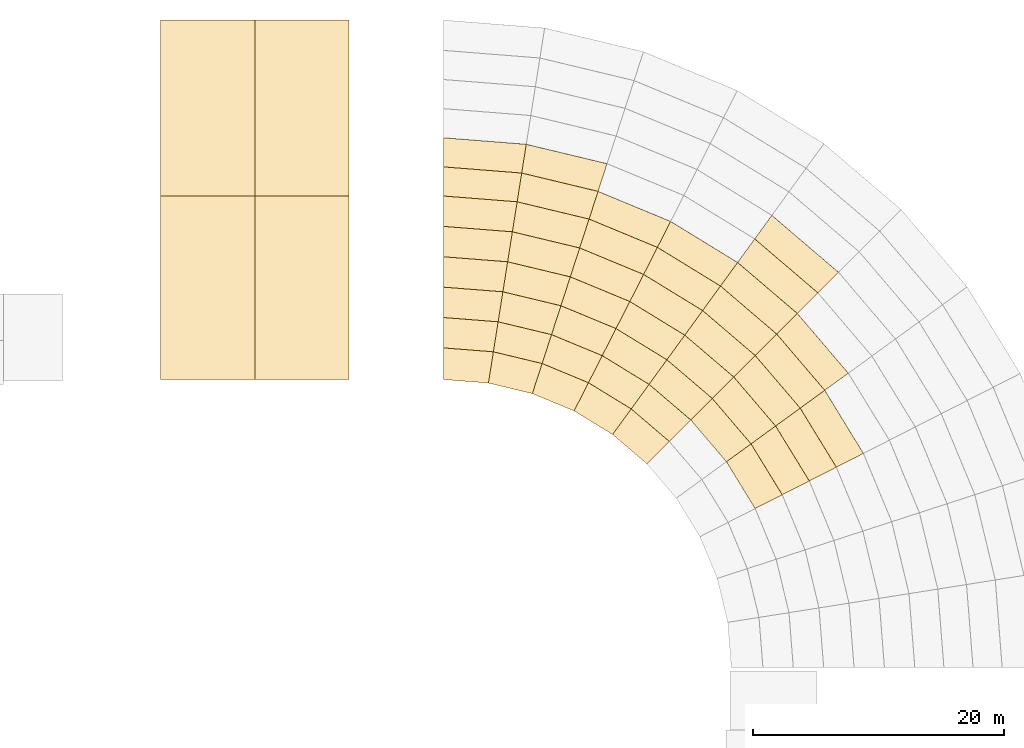
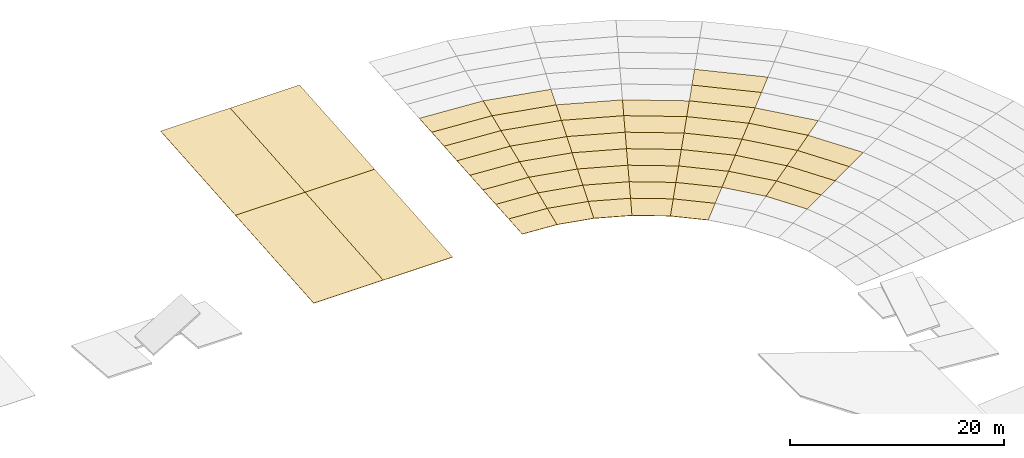
# One storey, part 4 of 6: 52 coverings.
"""IFC4 building model written with IfcOpenShell, lengths in metres."""

from ifc_helpers import new_model, si_unit, direction, frame, origin, place, context, subcontext, project, spatial, polyline, outline, extrude, material, layer, layer_set, type_object, element, save


model = new_model("IFC4")

# Units and contexts
model_context = context("Model", 3, precision=1e-05, world=origin(), true_north=direction((0.0, 1.0)))
body_context = subcontext(model_context, "Body", "Model", "MODEL_VIEW")
ifc_project = project(units=[si_unit("LENGTHUNIT", "METRE"), si_unit("AREAUNIT", "SQUARE_METRE"), si_unit("VOLUMEUNIT", "CUBIC_METRE"), si_unit("PLANEANGLEUNIT", "RADIAN"), si_unit("MASSUNIT", "GRAM", prefix="KILO")], contexts=[model_context])

# Site, building, storey
site_placement = place(None, origin())
site = spatial("IfcSite", under=ifc_project, at=site_placement, CompositionType="ELEMENT")
building_placement = place(site_placement, origin())
building = spatial("IfcBuilding", under=site, at=building_placement, Name="Parallax Yard Mobility Hub", CompositionType="ELEMENT")
storey_placement = place(building_placement, frame((0.0, 0.0, 26.5)))
storey = spatial("IfcBuildingStorey", under=building, at=storey_placement, Name="ROOF", CompositionType="ELEMENT", Elevation=26.5)

# Coverings
ifc_material = material(Name="Aluminium-zinc coated standing seam sheeting", Category="aluminium")
ifc_layer = layer(ifc_material, 0.0400390625)
ifc_layer_set = layer_set([ifc_layer], Name="Canopy roof sheeting 40")
covering_type = type_object("IfcCoveringType", Name="Canopy roof sheeting 40", PredefinedType="ROOFING", material=ifc_layer_set)
placement = place(building_placement, frame((0.0, 0.0, 13.199951171875)))
covering_1_placement = place(placement, frame((172.5, 112.89990234375, 4.4658203125), z_axis=(-0.006269490234, -0.079678632242, 0.996800887367), x_axis=(0.996921513004, -0.07840597491, 2.918185e-06)))
element("IfcCovering", 1, at=covering_1_placement, inside=storey, type_object=covering_type, Name="Canopy roof sheeting sector R0-R1 bay 1", PredefinedType="ROOFING", context=body_context, shape_type="SweptSolid", body=[
    extrude(outline(polyline([(0.0, 0.0), (3.593337367029227, 5.551115123125783e-17), (3.7910389233031703, 2.516872609857976), (-0.19733515399551443, 2.5171494301127004), (0.0, 0.0)])), origin(), (0.0, 0.0, -1.0), 0.0400390625),
])
covering_2_placement = place(placement, frame((172.5, 115.416748046875, 4.6669921875), z_axis=(-0.006276257805, -0.079756393413, 0.996794625937), x_axis=(0.996916082093, -0.078474997679, -1.986815e-06)))
element("IfcCovering", 2, at=covering_2_placement, inside=storey, type_object=covering_type, Name="Canopy roof sheeting sector R0-R1 bay 2", PredefinedType="ROOFING", context=body_context, shape_type="SweptSolid", body=[
    extrude(outline(polyline([(0.0, 0.0), (3.9883740869112385, 0.0), (4.177820978808256, 2.417006498316142), (-0.1896355226046598, 2.416798987364311), (0.0, 0.0)])), origin(), (0.0, 0.0, -1.0), 0.0400390625),
])
covering_3_placement = place(placement, frame((172.5, 117.833251953125, 4.8603515625), z_axis=(-0.006274402209, -0.079752195012, 0.996794973537), x_axis=(0.996919807149, -0.078427661667, 2.98629e-07)))
element("IfcCovering", 3, at=covering_3_placement, inside=storey, type_object=covering_type, Name="Canopy roof sheeting sector R0-R1 bay 3", PredefinedType="ROOFING", context=body_context, shape_type="SweptSolid", body=[
    extrude(outline(polyline([(0.0, 0.0), (4.367456506349689, -5.551115123125783e-17), (4.5572616258973655, 2.4170165804130814), (-0.18953984041244973, 2.4170506032909675), (0.0, 0.0)])), origin(), (0.0, 0.0, -1.0), 0.0400390625),
])
covering_4_placement = place(placement, frame((172.5, 120.25, 5.0537109375), z_axis=(-0.006277391311, -0.07975630423, 0.996794625935), x_axis=(0.996919230113, -0.078434996183, 2.374306e-06)))
element("IfcCovering", 4, at=covering_4_placement, inside=storey, type_object=covering_type, Name="Canopy roof sheeting sector R0-R1 bay 4", PredefinedType="ROOFING", context=body_context, shape_type="SweptSolid", body=[
    extrude(outline(polyline([(0.0, 0.0), (4.746801466418459, 5.551115123125783e-17), (4.936365022566961, 2.4167562446900384), (-0.18955716473643114, 2.41704924466668), (0.0, 0.0)])), origin(), (0.0, 0.0, -1.0), 0.0400390625),
])
covering_5_placement = place(placement, frame((172.5, 122.666748046875, 5.2470703125), z_axis=(-0.006277811964, -0.079755954101, 0.996794651301), x_axis=(0.996914756682, -0.078491833381, -1.753294e-06)))
element("IfcCovering", 5, at=covering_5_placement, inside=storey, type_object=covering_type, Name="Canopy roof sheeting sector R0-R1 bay 5", PredefinedType="ROOFING", context=body_context, shape_type="SweptSolid", body=[
    extrude(outline(polyline([(0.0, 0.0), (5.125922195681937, 0.0), (5.3155718330166115, 2.4170287851776817), (-0.1896761609902308, 2.4167957983024997), (0.0, 0.0)])), origin(), (0.0, 0.0, -1.0), 0.0400390625),
])
covering_6_placement = place(placement, frame((172.5, 125.083251953125, 5.4404296875), z_axis=(-0.00627620355, -0.079752370138, 0.996794948185), x_axis=(0.99691807529, -0.078449672786, 3.1443e-07)))
element("IfcCovering", 6, at=covering_6_placement, inside=storey, type_object=covering_type, Name="Canopy roof sheeting sector R0-R1 bay 6", PredefinedType="ROOFING", context=body_context, shape_type="SweptSolid", body=[
    extrude(outline(polyline([(0.0, 0.0), (5.505247998944054, 0.0), (5.694756538678247, 2.4170016655310547), (-0.18959303268490388, 2.4170464314797186), (0.0, 0.0)])), origin(), (0.0, 0.0, -1.0), 0.0400390625),
])
covering_7_placement = place(placement, frame((172.5, 127.5, 5.6337890625), z_axis=(-0.006275079768, -0.079731656015, 0.996796612355), x_axis=(0.99691747719, -0.078457272918, 2.09065e-07)))
element("IfcCovering", 7, at=covering_7_placement, inside=storey, type_object=covering_type, Name="Canopy roof sheeting sector R0-R1 bay 7", PredefinedType="ROOFING", context=body_context, shape_type="SweptSolid", body=[
    extrude(outline(polyline([(0.0, 0.0), (5.884349571533558, 0.0), (6.066263890508718, 2.316899478630266), (-0.18175803321187095, 2.316931193003203), (0.0, 0.0)])), origin(), (0.0, 0.0, -1.0), 0.0400390625),
])
covering_8_placement = place(placement, frame((172.5, 129.816650390625, 5.819091796875), z_axis=(-0.006275607105, -0.079731945097, 0.996796585912), x_axis=(0.996917077054, -0.078462357074, 3.04521e-07)))
element("IfcCovering", 8, at=covering_8_placement, inside=storey, type_object=covering_type, Name="Canopy roof sheeting sector R0-R1 bay 8", PredefinedType="ROOFING", context=body_context, shape_type="SweptSolid", body=[
    extrude(outline(polyline([(0.0, 0.0), (6.248021923800908, 5.551115123125783e-17), (6.429681094451499, 2.316881307501849), (-0.1817697937356638, 2.3169302703861137), (0.0, 0.0)])), origin(), (0.0, 0.0, -1.0), 0.0400390625),
])
covering_9_placement = place(placement, frame((176.082275390625, 112.6181640625, 4.4658203125), z_axis=(-0.018660054667, -0.07772105804, 0.996800501353), x_axis=(0.97237001477, -0.233444970765, 8.90359e-07)))
element("IfcCovering", 9, at=covering_9_placement, inside=storey, type_object=covering_type, Name="Canopy roof sheeting sector R1-R2 bay 1", PredefinedType="ROOFING", context=body_context, shape_type="SweptSolid", body=[
    extrude(outline(polyline([(0.0, 0.0), (3.593426897201229, 0.0), (3.791061309385657, 2.5168171973790314), (-0.1973314648132084, 2.516901653363014), (0.0, 0.0)])), origin(), (0.0, 0.0, -1.0), 0.0400390625),
])
covering_10_placement = place(placement, frame((176.47607421875, 115.103759765625, 4.6669921875), z_axis=(-0.018674865872, -0.07778701015, 0.99679507946), x_axis=(0.972365105676, -0.233465417698, -1.79464e-06)))
element("IfcCovering", 10, at=covering_10_placement, inside=storey, type_object=covering_type, Name="Canopy roof sheeting sector R1-R2 bay 2", PredefinedType="ROOFING", context=body_context, shape_type="SweptSolid", body=[
    extrude(outline(polyline([(0.0, 0.0), (3.9883927750878896, -2.220446049250313e-16), (4.177940267586874, 2.4171671973942748), (-0.1897879947770857, 2.4169797381860745), (0.0, 0.0)])), origin(), (0.0, 0.0, -1.0), 0.0400390625),
])
covering_11_placement = place(placement, frame((176.85400390625, 117.49072265625, 4.8603515625), z_axis=(-0.018675008724, -0.077790036337, 0.996794840625), x_axis=(0.972375103408, -0.233423774008, 1.073116e-06)))
element("IfcCovering", 11, at=covering_11_placement, inside=storey, type_object=covering_type, Name="Canopy roof sheeting sector R1-R2 bay 3", PredefinedType="ROOFING", context=body_context, shape_type="SweptSolid", body=[
    extrude(outline(polyline([(0.0, 0.0), (4.3677282663901265, 0.0), (4.557436489711452, 2.416922424540926), (-0.18944686361964178, 2.4170446870594957), (0.0, 0.0)])), origin(), (0.0, 0.0, -1.0), 0.0400390625),
])
covering_12_placement = place(placement, frame((177.232177734375, 119.877685546875, 5.0537109375), z_axis=(-0.018676343911, -0.077795677463, 0.996794375358), x_axis=(0.972369110555, -0.233448737064, -1.005961e-06)))
element("IfcCovering", 12, at=covering_12_placement, inside=storey, type_object=covering_type, Name="Canopy roof sheeting sector R1-R2 bay 4", PredefinedType="ROOFING", context=body_context, shape_type="SweptSolid", body=[
    extrude(outline(polyline([(0.0, 0.0), (4.746883354905525, 2.220446049250313e-16), (4.936291932209829, 2.4168704982839175), (-0.18968951833918965, 2.4167463612893054), (0.0, 0.0)])), origin(), (0.0, 0.0, -1.0), 0.0400390625),
])
covering_13_placement = place(placement, frame((177.610107421875, 122.264404296875, 5.2470703125), z_axis=(-0.018674975228, -0.07779004438, 0.996794840624), x_axis=(0.972374745927, -0.233425263163, 9.15647e-07)))
element("IfcCovering", 13, at=covering_13_placement, inside=storey, type_object=covering_type, Name="Canopy roof sheeting sector R1-R2 bay 5", PredefinedType="ROOFING", context=body_context, shape_type="SweptSolid", body=[
    extrude(outline(polyline([(0.0, 0.0), (5.125981452052222, 0.0), (5.315685955364521, 2.4169227165276705), (-0.1894505838160749, 2.417044395469297), (0.0, 0.0)])), origin(), (0.0, 0.0, -1.0), 0.0400390625),
])
covering_14_placement = place(placement, frame((177.98828125, 124.6513671875, 5.4404296875), z_axis=(-0.018676413452, -0.077790666002, 0.996794765167), x_axis=(0.972369579468, -0.233446783926, 3.96768e-07)))
element("IfcCovering", 14, at=covering_14_placement, inside=storey, type_object=covering_type, Name="Canopy roof sheeting sector R1-R2 bay 6", PredefinedType="ROOFING", context=body_context, shape_type="SweptSolid", body=[
    extrude(outline(polyline([(0.0, 0.0), (5.505136540526896, 0.0), (5.694787623034025, 2.4169269089415395), (-0.1897414021464435, 2.4169833963272884), (0.0, 0.0)])), origin(), (0.0, 0.0, -1.0), 0.0400390625),
])
covering_15_placement = place(placement, frame((178.3662109375, 127.038330078125, 5.6337890625), z_axis=(-0.018670337125, -0.077766516696, 0.996796763334), x_axis=(0.97236735073, -0.233456067033, -6.40941e-07)))
element("IfcCovering", 15, at=covering_15_placement, inside=storey, type_object=covering_type, Name="Canopy roof sheeting sector R1-R2 bay 7", PredefinedType="ROOFING", context=body_context, shape_type="SweptSolid", body=[
    extrude(outline(polyline([(0.0, 0.0), (5.884529025450781, 2.220446049250313e-16), (6.066179313753706, 2.31701846469944), (-0.1816370192572091, 2.316921234472151), (0.0, 0.0)])), origin(), (0.0, 0.0, -1.0), 0.0400390625),
])
covering_16_placement = place(placement, frame((178.728759765625, 129.326416015625, 5.819091796875), z_axis=(-0.018668503348, -0.077766956974, 0.99679676333), x_axis=(0.972371007291, -0.233440836571, -1.276176e-06)))
element("IfcCovering", 16, at=covering_16_placement, inside=storey, type_object=covering_type, Name="Canopy roof sheeting sector R1-R2 bay 8", PredefinedType="ROOFING", context=body_context, shape_type="SweptSolid", body=[
    extrude(outline(polyline([(0.0, 0.0), (6.2478163337635015, 0.0), (6.429740075392016, 2.317072447383229), (-0.18183835794528125, 2.3168672510207315), (0.0, 0.0)])), origin(), (0.0, 0.0, -1.0), 0.0400390625),
])
covering_17_placement = place(placement, frame((179.576416015625, 111.779296875, 4.4658203125), z_axis=(-0.030586916813, -0.073844600327, 0.996800589648), x_axis=(0.923876927479, -0.382689721407, -1.026083e-06)))
element("IfcCovering", 17, at=covering_17_placement, inside=storey, type_object=covering_type, Name="Canopy roof sheeting sector R2-R3 bay 1", PredefinedType="ROOFING", context=body_context, shape_type="SweptSolid", body=[
    extrude(outline(polyline([(0.0, 0.0), (3.5936263519226257, 0.0), (3.790846617316962, 2.5169427655251346), (-0.19727448571795608, 2.5168454349013296), (0.0, 0.0)])), origin(), (0.0, 0.0, -1.0), 0.0400390625),
])
covering_18_placement = place(placement, frame((180.354248046875, 114.172607421875, 4.6669921875), z_axis=(-0.030613384535, -0.073907353258, 0.996795126303), x_axis=(0.923886223434, -0.382667278647, 1.362849e-06)))
element("IfcCovering", 18, at=covering_18_placement, inside=storey, type_object=covering_type, Name="Canopy roof sheeting sector R2-R3 bay 2", PredefinedType="ROOFING", context=body_context, shape_type="SweptSolid", body=[
    extrude(outline(polyline([(0.0, 0.0), (3.9881211042205886, 0.0), (4.1777745148206655, 2.4170199319812222), (-0.1896102030285061, 2.417162278995943), (0.0, 0.0)])), origin(), (0.0, 0.0, -1.0), 0.0400390625),
])
covering_19_placement = place(placement, frame((181.10107421875, 116.47119140625, 4.8603515625), z_axis=(-0.030618443513, -0.073913312683, 0.996794529041), x_axis=(0.9238737173, -0.382697471223, 1.14103e-06)))
element("IfcCovering", 19, at=covering_19_placement, inside=storey, type_object=covering_type, Name="Canopy roof sheeting sector R2-R3 bay 3", PredefinedType="ROOFING", context=body_context, shape_type="SweptSolid", body=[
    extrude(outline(polyline([(0.0, 0.0), (4.367384720169487, -2.220446049250313e-16), (4.55705278426246, 2.4168012799743237), (-0.1895955539987205, 2.4169312654987856), (0.0, 0.0)])), origin(), (0.0, 0.0, -1.0), 0.0400390625),
])
covering_20_placement = place(placement, frame((181.847900390625, 118.76953125, 5.0537109375), z_axis=(-0.030617092496, -0.07391151303, 0.996794703983), x_axis=(0.923863287621, -0.382722648641, -1.607453e-06)))
element("IfcCovering", 20, at=covering_20_placement, inside=storey, type_object=covering_type, Name="Canopy roof sheeting sector R2-R3 bay 4", PredefinedType="ROOFING", context=body_context, shape_type="SweptSolid", body=[
    extrude(outline(polyline([(0.0, 0.0), (4.7466483400374475, 4.440892098500626e-16), (4.936156782531618, 2.4170313026399417), (-0.18988729342308905, 2.416832933901804), (0.0, 0.0)])), origin(), (0.0, 0.0, -1.0), 0.0400390625),
])
covering_21_placement = place(placement, frame((182.594482421875, 121.06787109375, 5.2470703125), z_axis=(-0.030614491449, -0.073910922077, 0.996794827691), x_axis=(0.923878116791, -0.382686850197, -6.81442e-07)))
element("IfcCovering", 21, at=covering_21_placement, inside=storey, type_object=covering_type, Name="Canopy roof sheeting sector R2-R3 bay 5", PredefinedType="ROOFING", context=body_context, shape_type="SweptSolid", body=[
    extrude(outline(polyline([(0.0, 0.0), (5.126044079797482, 0.0), (5.3156460569520485, 2.4170239672008407), (-0.18956821000669635, 2.4169334103382347), (0.0, 0.0)])), origin(), (0.0, 0.0, -1.0), 0.0400390625),
])
covering_22_placement = place(placement, frame((183.34130859375, 123.3662109375, 5.4404296875), z_axis=(-0.030616242126, -0.073914224605, 0.996794529038), x_axis=(0.92388438059, -0.382671727857, 9.87014e-07)))
element("IfcCovering", 22, at=covering_22_placement, inside=storey, type_object=covering_type, Name="Canopy roof sheeting sector R2-R3 bay 6", PredefinedType="ROOFING", context=body_context, shape_type="SweptSolid", body=[
    extrude(outline(polyline([(0.0, 0.0), (5.505214267701959, 2.220446049250313e-16), (5.69494942886218, 2.4167960133277875), (-0.18952845315164635, 2.4169365282693835), (0.0, 0.0)])), origin(), (0.0, 0.0, -1.0), 0.0400390625),
])
covering_23_placement = place(placement, frame((184.088134765625, 125.66455078125, 5.6337890625), z_axis=(-0.030606114725, -0.073887261502, 0.996796839045), x_axis=(0.923875242376, -0.382693789503, 3.5674e-08)))
element("IfcCovering", 23, at=covering_23_placement, inside=storey, type_object=covering_type, Name="Canopy roof sheeting sector R2-R3 bay 7", PredefinedType="ROOFING", context=body_context, shape_type="SweptSolid", body=[
    extrude(outline(polyline([(0.0, 0.0), (5.88447788369402, -4.440892098500626e-16), (6.066210935691207, 2.3169944817603363), (-0.1818870147817361, 2.316999893583672), (0.0, 0.0)])), origin(), (0.0, 0.0, -1.0), 0.0400390625),
])
covering_24_placement = place(placement, frame((182.896484375, 110.404052734375, 4.4658203125), z_axis=(-0.041763428885, -0.068150626772, 0.996800535753), x_axis=(0.852641255997, -0.522496783312, 7.41562e-07)))
element("IfcCovering", 24, at=covering_24_placement, inside=storey, type_object=covering_type, Name="Canopy roof sheeting sector R3-R4 bay 1", PredefinedType="ROOFING", context=body_context, shape_type="SweptSolid", body=[
    extrude(outline(polyline([(0.0, 0.0), (3.5932117639587537, -2.220446049250313e-16), (3.7907345435234943, 2.5168377665811796), (-0.19766208663588114, 2.51690810669059), (0.0, 0.0)])), origin(), (0.0, 0.0, -1.0), 0.0400390625),
])
covering_25_placement = place(placement, frame((184.038818359375, 112.646484375, 4.6669921875), z_axis=(-0.041800504556, -0.068209803425, 0.996794934044), x_axis=(0.852632041621, -0.522511819581, 2.1107e-08)))
element("IfcCovering", 25, at=covering_25_placement, inside=storey, type_object=covering_type, Name="Canopy roof sheeting sector R3-R4 bay 2", PredefinedType="ROOFING", context=body_context, shape_type="SweptSolid", body=[
    extrude(outline(polyline([(0.0, 0.0), (3.988396630780536, 0.0), (4.178140579926154, 2.4170176225559312), (-0.18965474534830262, 2.4170198272549097), (0.0, 0.0)])), origin(), (0.0, 0.0, -1.0), 0.0400390625),
])
covering_26_placement = place(placement, frame((185.135986328125, 114.7998046875, 4.8603515625), z_axis=(-0.041799474686, -0.068212902605, 0.996794765152), x_axis=(0.852631883117, -0.522512078221, -2.508728e-06)))
element("IfcCovering", 26, at=covering_26_placement, inside=storey, type_object=covering_type, Name="Canopy roof sheeting sector R3-R4 bay 3", PredefinedType="ROOFING", context=body_context, shape_type="SweptSolid", body=[
    extrude(outline(polyline([(0.0, 0.0), (4.367795325261181, -6.661338147750939e-16), (4.557202325892941, 2.4170980555861314), (-0.1895283989300862, 2.416812236671573), (0.0, 0.0)])), origin(), (0.0, 0.0, -1.0), 0.0400390625),
])
covering_27_placement = place(placement, frame((186.233154296875, 116.952880859375, 5.0537109375), z_axis=(-0.041798553672, -0.068213466992, 0.996794765151), x_axis=(0.852663288349, -0.52246082791, 1.231731e-06)))
element("IfcCovering", 27, at=covering_27_placement, inside=storey, type_object=covering_type, Name="Canopy roof sheeting sector R3-R4 bay 4", PredefinedType="ROOFING", context=body_context, shape_type="SweptSolid", body=[
    extrude(outline(polyline([(0.0, 0.0), (4.746730733437261, -4.440892098500626e-16), (4.936410830421165, 2.4168791437525026), (-0.18951042695089962, 2.41703114705189), (0.0, 0.0)])), origin(), (0.0, 0.0, -1.0), 0.0400390625),
])
covering_28_placement = place(placement, frame((187.330322265625, 119.106201171875, 5.2470703125), z_axis=(-0.041798517457, -0.068211021214, 0.996794934038), x_axis=(0.852647792537, -0.522486116449, 1.02396e-07)))
element("IfcCovering", 28, at=covering_28_placement, inside=storey, type_object=covering_type, Name="Canopy roof sheeting sector R3-R4 bay 5", PredefinedType="ROOFING", context=body_context, shape_type="SweptSolid", body=[
    extrude(outline(polyline([(0.0, 0.0), (5.125921259629134, 4.440892098500626e-16), (5.315737852731067, 2.417011918664491), (-0.18958210115294244, 2.4170255262819724), (0.0, 0.0)])), origin(), (0.0, 0.0, -1.0), 0.0400390625),
])
covering_29_placement = place(placement, frame((188.427490234375, 121.259521484375, 5.4404296875), z_axis=(-0.041801086206, -0.068215942856, 0.996794489517), x_axis=(0.852646521171, -0.522488191192, -4.75382e-07)))
element("IfcCovering", 29, at=covering_29_placement, inside=storey, type_object=covering_type, Name="Canopy roof sheeting sector R3-R4 bay 6", PredefinedType="ROOFING", context=body_context, shape_type="SweptSolid", body=[
    extrude(outline(polyline([(0.0, 0.0), (5.5053199539002255, -8.881784197001252e-16), (5.694922407172955, 2.4168852360917183), (-0.18946051476605677, 2.4168175592677623), (0.0, 0.0)])), origin(), (0.0, 0.0, -1.0), 0.0400390625),
])
covering_30_placement = place(placement, frame((189.524658203125, 123.41259765625, 5.6337890625), z_axis=(-0.041786647199, -0.068192190282, 0.996796720149), x_axis=(0.852652506917, -0.52247842295, 5.43194e-07)))
element("IfcCovering", 30, at=covering_30_placement, inside=storey, type_object=covering_type, Name="Canopy roof sheeting sector R3-R4 bay 7", PredefinedType="ROOFING", context=body_context, shape_type="SweptSolid", body=[
    extrude(outline(polyline([(0.0, 0.0), (5.884382922327902, 0.0), (6.066066660211366, 2.3169130565636276), (-0.18172061864300873, 2.3169954569324958), (0.0, 0.0)])), origin(), (0.0, 0.0, -1.0), 0.0400390625),
])
covering_31_placement = place(placement, frame((185.960205078125, 108.526611328125, 4.4658203125), z_axis=(-0.051905709109, -0.060774124677, 0.996801034877), x_axis=(0.760368339918, -0.649492099741, -4.871563e-06)))
element("IfcCovering", 31, at=covering_31_placement, inside=storey, type_object=covering_type, Name="Canopy roof sheeting sector R4-R5 bay 1", PredefinedType="ROOFING", context=body_context, shape_type="SweptSolid", body=[
    extrude(outline(polyline([(0.0, 0.0), (3.593551497531964, 0.0), (3.7908864039577734, 2.517300034263729), (-0.19752120662787306, 2.5168378899657604), (0.0, 0.0)])), origin(), (0.0, 0.0, -1.0), 0.0400390625),
])
covering_32_placement = place(placement, frame((187.439453125, 110.5625, 4.6669921875), z_axis=(-0.051955391734, -0.060835516501, 0.996794701632), x_axis=(0.760443460193, -0.649404145232, 2.308673e-06)))
element("IfcCovering", 32, at=covering_32_placement, inside=storey, type_object=covering_type, Name="Canopy roof sheeting sector R4-R5 bay 2", PredefinedType="ROOFING", context=body_context, shape_type="SweptSolid", body=[
    extrude(outline(polyline([(0.0, 0.0), (3.9884076373883808, -4.440892098500626e-16), (4.17814542886276, 2.416810666031856), (-0.18930812297062063, 2.4170517968126615), (0.0, 0.0)])), origin(), (0.0, 0.0, -1.0), 0.0400390625),
])
covering_33_placement = place(placement, frame((188.860107421875, 112.517578125, 4.8603515625), z_axis=(-0.051958365121, -0.060832389289, 0.9967947375), x_axis=(0.76040749682, -0.649446255494, 2.169879e-06)))
element("IfcCovering", 33, at=covering_33_placement, inside=storey, type_object=covering_type, Name="Canopy roof sheeting sector R4-R5 bay 3", PredefinedType="ROOFING", context=body_context, shape_type="SweptSolid", body=[
    extrude(outline(polyline([(0.0, 0.0), (4.367453558489318, -8.881784197001252e-16), (4.557057915567129, 2.416821137927043), (-0.1897857727545629, 2.417068344647496), (0.0, 0.0)])), origin(), (0.0, 0.0, -1.0), 0.0400390625),
])
covering_34_placement = place(placement, frame((190.280517578125, 114.472900390625, 5.0537109375), z_axis=(-0.051956330571, -0.060830687065, 0.996794947431), x_axis=(0.760373805194, -0.649485701436, -2.436486e-06)))
element("IfcCovering", 34, at=covering_34_placement, inside=storey, type_object=covering_type, Name="Canopy roof sheeting sector R4-R5 bay 4", PredefinedType="ROOFING", context=body_context, shape_type="SweptSolid", body=[
    extrude(outline(polyline([(0.0, 0.0), (4.746843694754064, 0.0), (4.936349260332083, 2.4171741096513926), (-0.18975308305138944, 2.4168734145730357), (0.0, 0.0)])), origin(), (0.0, 0.0, -1.0), 0.0400390625),
])
covering_35_placement = place(placement, frame((191.700927734375, 116.427978515625, 5.2470703125), z_axis=(-0.051957876746, -0.060833393968, 0.996794701642), x_axis=(0.760411810601, -0.649441204649, 1.675841e-06)))
element("IfcCovering", 35, at=covering_35_placement, inside=storey, type_object=covering_type, Name="Canopy roof sheeting sector R4-R5 bay 5", PredefinedType="ROOFING", context=body_context, shape_type="SweptSolid", body=[
    extrude(outline(polyline([(0.0, 0.0), (5.126102352208685, -4.440892098500626e-16), (5.31572261547162, 2.416819890006301), (-0.1894256625182726, 2.4170425880171305), (0.0, 0.0)])), origin(), (0.0, 0.0, -1.0), 0.0400390625),
])
covering_36_placement = place(placement, frame((193.12158203125, 118.383056640625, 5.4404296875), z_axis=(-0.051955503949, -0.060831393065, 0.996794947433), x_axis=(0.760385648772, -0.649471835522, -2.063548e-06)))
element("IfcCovering", 36, at=covering_36_placement, inside=storey, type_object=covering_type, Name="Canopy roof sheeting sector R4-R5 bay 6", PredefinedType="ROOFING", context=body_context, shape_type="SweptSolid", body=[
    extrude(outline(polyline([(0.0, 0.0), (5.505148282489208, 4.440892098500626e-16), (5.6946978572993565, 2.4171706589415822), (-0.1897090792561275, 2.4168768689881506), (0.0, 0.0)])), origin(), (0.0, 0.0, -1.0), 0.0400390625),
])
covering_37_placement = place(placement, frame((194.5419921875, 120.338134765625, 5.6337890625), z_axis=(-0.051944555753, -0.060819262341, 0.996796258247), x_axis=(0.760417993237, -0.64943396551, 1.484881e-06)))
element("IfcCovering", 37, at=covering_37_placement, inside=storey, type_object=covering_type, Name="Canopy roof sheeting sector R4-R5 bay 7", PredefinedType="ROOFING", context=body_context, shape_type="SweptSolid", body=[
    extrude(outline(polyline([(0.0, 0.0), (5.884406943893996, 0.0), (6.066192336727291, 2.316674875430151), (-0.1818487006625127, 2.3169001148705393), (0.0, 0.0)])), origin(), (0.0, 0.0, -1.0), 0.0400390625),
])
covering_38_placement = place(placement, frame((195.903564453125, 122.21240234375, 5.819091796875), z_axis=(-0.051940133417, -0.060811664287, 0.996796952256), x_axis=(0.760394574258, -0.649461385641, 1.68425e-07)))
element("IfcCovering", 38, at=covering_38_placement, inside=storey, type_object=covering_type, Name="Canopy roof sheeting sector R4-R5 bay 8", PredefinedType="ROOFING", context=body_context, shape_type="SweptSolid", body=[
    extrude(outline(polyline([(0.0, 0.0), (6.24804104145576, 0.0), (6.42977000226103, 2.3170245276720105), (-0.18174658069255356, 2.317051609808146), (0.0, 0.0)])), origin(), (0.0, 0.0, -1.0), 0.0400390625),
])
covering_39_placement = place(placement, frame((197.265380859375, 124.086669921875, 6.00439453125), z_axis=(-0.051941612981, -0.060814600601, 0.996796696019), x_axis=(0.760391963063, -0.649464442836, -9.38643e-07)))
element("IfcCovering", 39, at=covering_39_placement, inside=storey, type_object=covering_type, Name="Canopy roof sheeting sector R4-R5 bay 9", PredefinedType="ROOFING", context=body_context, shape_type="SweptSolid", body=[
    extrude(outline(polyline([(0.0, 0.0), (6.611516583006203, -8.881784197001252e-16), (6.7932360528055, 2.31702527204329), (-0.18159751114965883, 2.316865817414406), (0.0, 0.0)])), origin(), (0.0, 0.0, -1.0), 0.0400390625),
])
covering_40_placement = place(placement, frame((192.18115234375, 109.68115234375, 4.8603515625), z_axis=(-0.060832389289, -0.051958365121, 0.9967947375), x_axis=(0.649446255494, -0.76040749682, -2.169879e-06)))
element("IfcCovering", 40, at=covering_40_placement, inside=storey, type_object=covering_type, Name="Canopy roof sheeting sector R5-R6 bay 3", PredefinedType="ROOFING", context=body_context, shape_type="SweptSolid", body=[
    extrude(outline(polyline([(0.0, 0.0), (4.367453558489318, 8.881784197001252e-16), (4.557239331243881, 2.4170683446474968), (-0.18960435707781073, 2.4168211379270437), (0.0, 0.0)])), origin(), (0.0, 0.0, -1.0), 0.0400390625),
])
covering_41_placement = place(placement, frame((193.889892578125, 111.389892578125, 5.0537109375), z_axis=(-0.060830687065, -0.051956330571, 0.996794947431), x_axis=(0.649485701436, -0.760373805194, 2.436486e-06)))
element("IfcCovering", 41, at=covering_41_placement, inside=storey, type_object=covering_type, Name="Canopy roof sheeting sector R5-R6 bay 4", PredefinedType="ROOFING", context=body_context, shape_type="SweptSolid", body=[
    extrude(outline(polyline([(0.0, 0.0), (4.746843694754064, 0.0), (4.936596777805454, 2.4168734145730357), (-0.18950556557801862, 2.4171741096513926), (0.0, 0.0)])), origin(), (0.0, 0.0, -1.0), 0.0400390625),
])
covering_42_placement = place(placement, frame((195.598876953125, 113.098876953125, 5.2470703125), z_axis=(-0.060833393968, -0.051957876746, 0.996794701642), x_axis=(0.649441204649, -0.760411810601, -1.675841e-06)))
element("IfcCovering", 42, at=covering_42_placement, inside=storey, type_object=covering_type, Name="Canopy roof sheeting sector R5-R6 bay 5", PredefinedType="ROOFING", context=body_context, shape_type="SweptSolid", body=[
    extrude(outline(polyline([(0.0, 0.0), (5.126102352208685, 4.440892098500626e-16), (5.315528014726956, 2.417042588017131), (-0.1896202632629363, 2.416819890006302), (0.0, 0.0)])), origin(), (0.0, 0.0, -1.0), 0.0400390625),
])
covering_43_placement = place(placement, frame((197.3076171875, 114.8076171875, 5.4404296875), z_axis=(-0.060831393065, -0.051955503949, 0.996794947433), x_axis=(0.649471835522, -0.760385648772, 2.063548e-06)))
element("IfcCovering", 43, at=covering_43_placement, inside=storey, type_object=covering_type, Name="Canopy roof sheeting sector R5-R6 bay 6", PredefinedType="ROOFING", context=body_context, shape_type="SweptSolid", body=[
    extrude(outline(polyline([(0.0, 0.0), (5.505148282489208, -4.440892098500626e-16), (5.694857361745335, 2.4168768689881497), (-0.18954957481014817, 2.417170658941582), (0.0, 0.0)])), origin(), (0.0, 0.0, -1.0), 0.0400390625),
])
covering_44_placement = place(placement, frame((199.0166015625, 116.5166015625, 5.6337890625), z_axis=(-0.060819262341, -0.051944555753, 0.996796258247), x_axis=(0.64943396551, -0.760417993237, -1.484881e-06)))
element("IfcCovering", 44, at=covering_44_placement, inside=storey, type_object=covering_type, Name="Canopy roof sheeting sector R5-R6 bay 7", PredefinedType="ROOFING", context=body_context, shape_type="SweptSolid", body=[
    extrude(outline(polyline([(0.0, 0.0), (5.884406943893996, 0.0), (6.066255644556509, 2.3169001148705393), (-0.18178539283329595, 2.316674875430151), (0.0, 0.0)])), origin(), (0.0, 0.0, -1.0), 0.0400390625),
])
covering_45_placement = place(placement, frame((195.017578125, 106.360107421875, 4.8603515625), z_axis=(-0.068212902605, -0.041799474686, 0.996794765152), x_axis=(0.522512078221, -0.852631883117, 2.508728e-06)))
element("IfcCovering", 45, at=covering_45_placement, inside=storey, type_object=covering_type, Name="Canopy roof sheeting sector R6-R7 bay 3", PredefinedType="ROOFING", context=body_context, shape_type="SweptSolid", body=[
    extrude(outline(polyline([(0.0, 0.0), (4.367795325261181, 6.661338147750939e-16), (4.557323724191266, 2.4168122366715736), (-0.18940700063176089, 2.4170980555861323), (0.0, 0.0)])), origin(), (0.0, 0.0, -1.0), 0.0400390625),
])
covering_46_placement = place(placement, frame((196.972900390625, 107.780517578125, 5.0537109375), z_axis=(-0.068213466992, -0.041798553672, 0.996794765151), x_axis=(0.52246082791, -0.852663288349, -1.231731e-06)))
element("IfcCovering", 46, at=covering_46_placement, inside=storey, type_object=covering_type, Name="Canopy roof sheeting sector R6-R7 bay 4", PredefinedType="ROOFING", context=body_context, shape_type="SweptSolid", body=[
    extrude(outline(polyline([(0.0, 0.0), (4.746730733437261, 4.440892098500626e-16), (4.93624116038816, 2.4170311470518904), (-0.1896800969839044, 2.4168791437525026), (0.0, 0.0)])), origin(), (0.0, 0.0, -1.0), 0.0400390625),
])
covering_47_placement = place(placement, frame((198.927978515625, 109.200927734375, 5.2470703125), z_axis=(-0.068211021214, -0.041798517457, 0.996794934038), x_axis=(0.522486116449, -0.852647792537, -1.02396e-07)))
element("IfcCovering", 47, at=covering_47_placement, inside=storey, type_object=covering_type, Name="Canopy roof sheeting sector R6-R7 bay 5", PredefinedType="ROOFING", context=body_context, shape_type="SweptSolid", body=[
    extrude(outline(polyline([(0.0, 0.0), (5.125921259629134, -4.440892098500626e-16), (5.315503360782078, 2.417025526281972), (-0.18981659310193238, 2.417011918664491), (0.0, 0.0)])), origin(), (0.0, 0.0, -1.0), 0.0400390625),
])
covering_48_placement = place(placement, frame((200.883056640625, 110.62158203125, 5.4404296875), z_axis=(-0.068215942856, -0.041801086206, 0.996794489517), x_axis=(0.522488191192, -0.852646521171, 4.75382e-07)))
element("IfcCovering", 48, at=covering_48_placement, inside=storey, type_object=covering_type, Name="Canopy roof sheeting sector R6-R7 bay 6", PredefinedType="ROOFING", context=body_context, shape_type="SweptSolid", body=[
    extrude(outline(polyline([(0.0, 0.0), (5.5053199539002255, 8.881784197001252e-16), (5.6947804686662815, 2.416817559267762), (-0.1896024532727286, 2.4168852360917192), (0.0, 0.0)])), origin(), (0.0, 0.0, -1.0), 0.0400390625),
])
covering_49_placement = place(placement, frame((150.0, 112.89990234375, 4.4658203125), z_axis=(0.0, -0.079742572267, 0.996815490534), x_axis=(1.0, 0.0, 0.0)))
element("IfcCovering", 49, at=covering_49_placement, inside=storey, type_object=covering_type, Name="Canopy roof sheeting sector N-C bay 1 inner half", PredefinedType="ROOFING", context=body_context, shape_type="SweptSolid", body=[
    extrude(outline(polyline([(0.0, 0.0), (7.5, 0.0), (7.5, 14.646740339509446), (0.0, 14.646740339509446), (0.0, 0.0)])), origin(), (0.0, 0.0, -1.0), 0.0400390625),
])
covering_50_placement = place(placement, frame((150.0, 127.5, 5.6337890625), z_axis=(0.0, -0.079736240555, 0.996815997034), x_axis=(1.0, 0.0, 0.0)))
element("IfcCovering", 50, at=covering_50_placement, inside=storey, type_object=covering_type, Name="Canopy roof sheeting sector N-C bay 1 outer half", PredefinedType="ROOFING", context=body_context, shape_type="SweptSolid", body=[
    extrude(outline(polyline([(0.0, 0.0), (7.5, 0.0), (7.5, 14.044718425127542), (0.0, 14.044718425127542), (0.0, 0.0)])), origin(), (0.0, 0.0, -1.0), 0.0400390625),
])
covering_51_placement = place(placement, frame((157.5, 112.89990234375, 4.4658203125), z_axis=(0.0, -0.079742572267, 0.996815490534), x_axis=(1.0, 0.0, 0.0)))
element("IfcCovering", 51, at=covering_51_placement, inside=storey, type_object=covering_type, Name="Canopy roof sheeting sector N-C bay 2 inner half", PredefinedType="ROOFING", context=body_context, shape_type="SweptSolid", body=[
    extrude(outline(polyline([(0.0, 0.0), (7.5, 0.0), (7.5, 14.646740339509446), (0.0, 14.646740339509446), (0.0, 0.0)])), origin(), (0.0, 0.0, -1.0), 0.0400390625),
])
covering_52_placement = place(placement, frame((157.5, 127.5, 5.6337890625), z_axis=(0.0, -0.079736240555, 0.996815997034), x_axis=(1.0, 0.0, 0.0)))
element("IfcCovering", 52, at=covering_52_placement, inside=storey, type_object=covering_type, Name="Canopy roof sheeting sector N-C bay 2 outer half", PredefinedType="ROOFING", context=body_context, shape_type="SweptSolid", body=[
    extrude(outline(polyline([(0.0, 0.0), (7.5, 0.0), (7.5, 14.044718425127542), (0.0, 14.044718425127542), (0.0, 0.0)])), origin(), (0.0, 0.0, -1.0), 0.0400390625),
])

save(model, "model.ifc")
